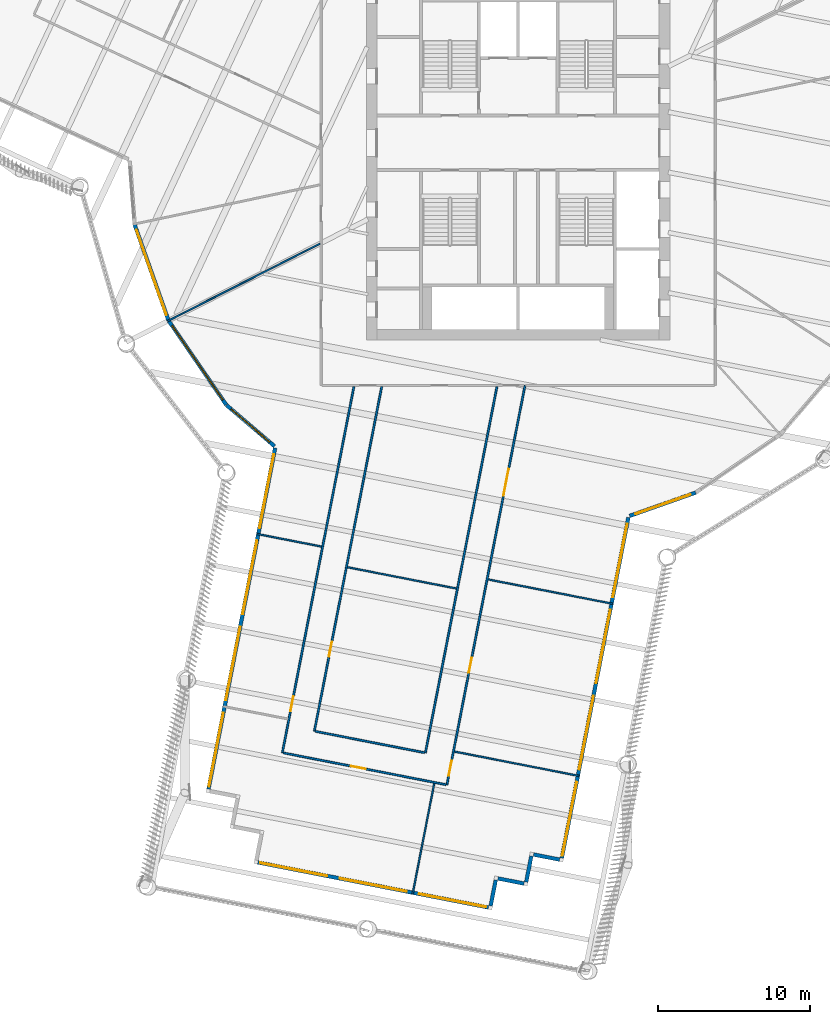
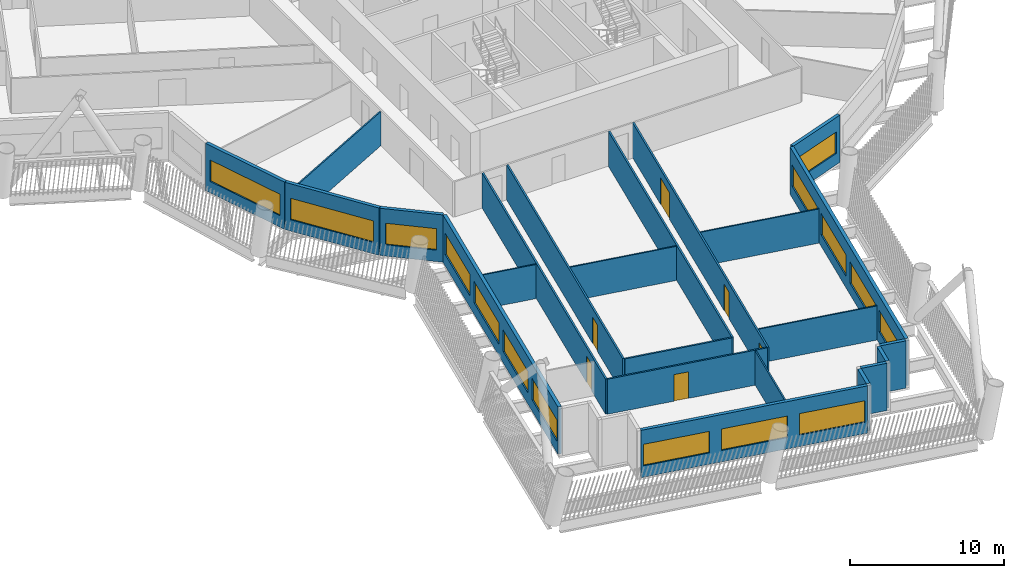
# One storey, part 3 of 24: 23 walls, 15 windows, 6 doors, 21 openings.
"""IFC4 building model written with IfcOpenShell, lengths in metres."""

from ifc_helpers import new_model, si_unit, direction, frame, frame_2d, origin, place, context, subcontext, project, spatial, rectangle, extrude, material, layer, layer_set, type_object, element, fill, save


model = new_model("IFC4")

# Units and contexts
model_context = context("Model", 3, precision=1e-05, world=origin(), true_north=direction((0.0, 1.0)))
body_context = subcontext(model_context, "Body", "Model", "MODEL_VIEW")
ifc_project = project(units=[si_unit("LENGTHUNIT", "METRE"), si_unit("AREAUNIT", "SQUARE_METRE"), si_unit("VOLUMEUNIT", "CUBIC_METRE"), si_unit("PLANEANGLEUNIT", "RADIAN"), si_unit("MASSUNIT", "GRAM", prefix="KILO")], contexts=[model_context])

# Site, building, storey
site_placement = place(None, origin())
site = spatial("IfcSite", under=ifc_project, at=site_placement, CompositionType="ELEMENT")
building_placement = place(site_placement, origin())
building = spatial("IfcBuilding", under=site, at=building_placement, Name="Tarsis Ring Headquarters", CompositionType="ELEMENT")
storey_placement = place(building_placement, frame((0.0, 0.0, 178.800048828125)))
storey = spatial("IfcBuildingStorey", under=building, at=storey_placement, Name="L41", CompositionType="ELEMENT", Elevation=178.800048828125)

# Walls
ifc_material_1 = material(Name="Gypsum board on steel studs", Category="steel")
ifc_layer_1 = layer(ifc_material_1, 0.10009765625)
ifc_layer_set_1 = layer_set([ifc_layer_1], Name="FL partition 100 unrated")
wall_type_1 = type_object("IfcWallType", Name="FL partition 100 unrated", PredefinedType="PARTITIONING", material=ifc_layer_set_1)
wall_1_placement = place(storey_placement, frame((-23.132080078125, -11.755859375, 0.0), z_axis=(0.0, 0.0, 1.0), x_axis=(0.89148504166, 0.453050130224, 0.0)))
element("IfcWall", 1, at=wall_1_placement, inside=storey, type_object=wall_type_1, Name="Partition PW3", PredefinedType="PARTITIONING", context=body_context, shape_type="SweptSolid", body=[
    extrude(rectangle(XDim=11.275634765625, YDim=0.10009765625, at=frame_2d((5.6376953125, 0.0))), origin(), (0.0, 0.0, 1.0), 2.699951171875),
])
for number, where, z_axis, x_axis, name in (
    (2, (-1.980712890625, -28.794921875, 0.0), (0.0, 0.0, 1.0), (0.981431707288, -0.19181189726, 0.0), "Partition PW3"),
    (3, (-4.2001953125, -40.14990234375, 0.0), (0.0, 0.0, 1.0), (0.981426215942, -0.19183999234, 0.0), "Partition PW3"),
):
    element("IfcWall", number, at=place(storey_placement, frame(where, z_axis=z_axis, x_axis=x_axis)), inside=storey, type_object=wall_type_1, Name=name, PredefinedType="PARTITIONING", context=body_context, shape_type="SweptSolid", body=[
        extrude(rectangle(XDim=8.3701171875, YDim=0.10009765625, at=frame_2d((4.18505859375, 0.0))), origin(), (0.0, 0.0, 1.0), 2.699951171875),
    ])
wall_2_placement = place(storey_placement, frame((-11.258544921875, -27.989990234375, 0.0), z_axis=(0.0, 0.0, 1.0), x_axis=(0.981424476659, -0.191848890051, 0.0)))
element("IfcWall", 4, at=wall_2_placement, inside=storey, type_object=wall_type_1, Name="Partition PW3", PredefinedType="PARTITIONING", context=body_context, shape_type="SweptSolid", body=[
    extrude(rectangle(XDim=7.31982421875, YDim=0.10009765625, at=frame_2d((3.659912109375, 0.0))), origin(), (0.0, 0.0, 1.0), 2.699951171875),
])
wall_3_placement = place(storey_placement, frame((-6.9619140625, -49.534423828125, 0.0), z_axis=(0.0, 0.0, 1.0), x_axis=(0.191855911231, 0.981423104133, 0.0)))
element("IfcWall", 5, at=wall_3_placement, inside=storey, type_object=wall_type_1, Name="Partition PW3", PredefinedType="PARTITIONING", context=body_context, shape_type="SweptSolid", body=[
    extrude(rectangle(XDim=7.420166015625, YDim=0.10009765625, at=frame_2d((3.7099609375, 0.0))), origin(), (0.0, 0.0, 1.0), 2.699951171875),
])
wall_4_placement = place(storey_placement, frame((-17.218505859375, -25.7958984375, 0.0), z_axis=(0.0, 0.0, 1.0), x_axis=(0.981421514254, -0.191864043948, 0.0)))
element("IfcWall", 6, at=wall_4_placement, inside=storey, type_object=wall_type_1, Name="Partition PW3", PredefinedType="PARTITIONING", context=body_context, shape_type="SweptSolid", body=[
    extrude(rectangle(XDim=4.330322265625, YDim=0.10009765625, at=frame_2d((2.1650390625, 0.0))), origin(), (0.0, 0.0, 1.0), 2.699951171875),
])

# Wall, openings, doors
ifc_layer_2 = layer(ifc_material_1, 0.125)
ifc_layer_set_2 = layer_set([ifc_layer_2], Name="FL partition 125 EI 60 H2770")
wall_type_2 = type_object("IfcWallType", Name="FL partition 125 EI 60 H2770", PredefinedType="PARTITIONING", material=ifc_layer_set_2)
wall_5_placement = place(storey_placement, frame((-4.70068359375, -42.3447265625, 0.0), z_axis=(0.0, 0.0, 1.0), x_axis=(0.191841360527, 0.981425948501, 0.0)))
wall_5 = element("IfcWall", 7, at=wall_5_placement, inside=storey, type_object=wall_type_2, Name="Partition PW1", PredefinedType="PARTITIONING", context=body_context, shape_type="SweptSolid", body=[
    extrude(rectangle(XDim=26.84326171875, YDim=0.125, at=frame_2d((13.421630859375, 0.0))), origin(), (0.0, 0.0, 1.0), 2.77001953125),
])
opening_1_placement = place(wall_5_placement, frame((19.433349609375, 0.0, 0.0)))
opening_1 = element("IfcOpeningElement", 8, at=opening_1_placement, cuts=wall_5, Name="Opening D41.10", PredefinedType="OPENING", context=body_context, shape_type="SweptSolid", body=[
    extrude(rectangle(XDim=1.800048828125, YDim=2.10009765625, at=frame_2d((0.89990234375, 1.050048828125))), frame((0.0, 0.072509765625, 0.0), z_axis=(0.0, -1.0, 0.0), x_axis=(1.0, 0.0, 0.0)), (0.0, 0.0, 1.0), 0.14501953125),
])
opening_2_placement = place(wall_5_placement, frame((7.53564453125, 0.0, 0.0)))
opening_2 = element("IfcOpeningElement", 9, at=opening_2_placement, cuts=wall_5, Name="Opening D41.11", PredefinedType="OPENING", context=body_context, shape_type="SweptSolid", body=[
    extrude(rectangle(XDim=1.0, YDim=2.10009765625, at=frame_2d((0.5, 1.050048828125))), frame((0.0, 0.072509765625, 0.0), z_axis=(0.0, -1.0, 0.0), x_axis=(1.0, 0.0, 0.0)), (0.0, 0.0, 1.0), 0.14501953125),
])
opening_3_placement = place(wall_5_placement, frame((0.623779296875, 0.0, 0.0)))
opening_3 = element("IfcOpeningElement", 10, at=opening_3_placement, cuts=wall_5, Name="Opening D41.12", PredefinedType="OPENING", context=body_context, shape_type="SweptSolid", body=[
    extrude(rectangle(XDim=1.0, YDim=2.10009765625, at=frame_2d((0.5, 1.050048828125))), frame((0.0, 0.072509765625, 0.0), z_axis=(0.0, -1.0, 0.0), x_axis=(1.0, 0.0, 0.0)), (0.0, 0.0, 1.0), 0.14501953125),
])
ifc_material_2 = material(Name="Fire-rated timber door leaf in steel frame", Category="steel")
door_type_1 = type_object("IfcDoorType", Name="FL door FD60-1000", OperationType="NOTDEFINED", PredefinedType="DOOR", material=ifc_material_2)
door_1_placement = place(opening_2_placement, origin())
door_1 = element("IfcDoor", 11, at=door_1_placement, inside=storey, type_object=door_type_1, Name="Door D41.11", OperationType="SINGLE_SWING_RIGHT", OverallHeight=2.10009765625, OverallWidth=1.0, PredefinedType="DOOR", context=body_context, shape_type="SweptSolid", body=[
    extrude(rectangle(XDim=1.0, YDim=2.10009765625, at=frame_2d((0.5, 1.050048828125))), frame((0.0, 0.02490234375, 0.0), z_axis=(0.0, -1.0, 0.0), x_axis=(1.0, 0.0, 0.0)), (0.0, 0.0, 1.0), 0.050048828125),
])
fill(opening_2, door_1)
door_2_placement = place(opening_3_placement, origin())
door_2 = element("IfcDoor", 12, at=door_2_placement, inside=storey, type_object=door_type_1, Name="Door D41.12", OperationType="SINGLE_SWING_LEFT", OverallHeight=2.10009765625, OverallWidth=1.0, PredefinedType="DOOR", context=body_context, shape_type="SweptSolid", body=[
    extrude(rectangle(XDim=1.0, YDim=2.10009765625, at=frame_2d((0.5, 1.050048828125))), frame((0.0, 0.02490234375, 0.0), z_axis=(0.0, -1.0, 0.0), x_axis=(1.0, 0.0, 0.0)), (0.0, 0.0, 1.0), 0.050048828125),
])
fill(opening_3, door_2)
door_type_2 = type_object("IfcDoorType", Name="FL door FD60-1800", OperationType="DOUBLE_DOOR_SINGLE_SWING", PredefinedType="DOOR", material=ifc_material_2)
door_3_placement = place(opening_1_placement, origin())
door_3 = element("IfcDoor", 13, at=door_3_placement, inside=storey, type_object=door_type_2, Name="Door D41.10", OperationType="DOUBLE_DOOR_SINGLE_SWING", OverallHeight=2.10009765625, OverallWidth=1.800048828125, PredefinedType="DOOR", context=body_context, shape_type="SweptSolid", body=[
    extrude(rectangle(XDim=1.800048828125, YDim=2.10009765625, at=frame_2d((0.89990234375, 1.050048828125))), frame((0.0, 0.02490234375, 0.0), z_axis=(0.0, -1.0, 0.0), x_axis=(1.0, 0.0, 0.0)), (0.0, 0.0, 1.0), 0.050048828125),
])
fill(opening_1, door_3)

# Wall
wall_6_placement = place(storey_placement, frame((-6.121826171875, -40.23291015625, 0.0), z_axis=(0.0, 0.0, 1.0), x_axis=(0.191839078335, 0.981426394603, 0.0)))
element("IfcWall", 14, at=wall_6_placement, inside=storey, type_object=wall_type_2, Name="Partition PW1", PredefinedType="PARTITIONING", context=body_context, shape_type="SweptSolid", body=[
    extrude(rectangle(XDim=24.62158203125, YDim=0.125, at=frame_2d((12.310791015625, 0.0))), origin(), (0.0, 0.0, 1.0), 2.77001953125),
])

# Wall, opening, door
wall_7_placement = place(storey_placement, frame((-15.55517578125, -40.222900390625, 0.0), z_axis=(0.0, 0.0, 1.0), x_axis=(0.191839214546, 0.981426367978, 0.0)))
wall_7 = element("IfcWall", 15, at=wall_7_placement, inside=storey, type_object=wall_type_2, Name="Partition PW1", PredefinedType="PARTITIONING", context=body_context, shape_type="SweptSolid", body=[
    extrude(rectangle(XDim=24.611328125, YDim=0.125, at=frame_2d((12.3056640625, 0.0))), origin(), (0.0, 0.0, 1.0), 2.77001953125),
])
opening_4_placement = place(wall_7_placement, frame((2.787109375, 0.0, 0.0)))
opening_4 = element("IfcOpeningElement", 16, at=opening_4_placement, cuts=wall_7, Name="Opening D41.14", PredefinedType="OPENING", context=body_context, shape_type="SweptSolid", body=[
    extrude(rectangle(XDim=1.0, YDim=2.10009765625, at=frame_2d((0.5, 1.050048828125))), frame((0.0, 0.072509765625, 0.0), z_axis=(0.0, -1.0, 0.0), x_axis=(1.0, 0.0, 0.0)), (0.0, 0.0, 1.0), 0.14501953125),
])
door_4_placement = place(opening_4_placement, origin())
door_4 = element("IfcDoor", 17, at=door_4_placement, inside=storey, type_object=door_type_1, Name="Door D41.14", OperationType="SINGLE_SWING_LEFT", OverallHeight=2.10009765625, OverallWidth=1.0, PredefinedType="DOOR", context=body_context, shape_type="SweptSolid", body=[
    extrude(rectangle(XDim=1.0, YDim=2.10009765625, at=frame_2d((0.5, 1.050048828125))), frame((0.0, 0.02490234375, 0.0), z_axis=(0.0, -1.0, 0.0), x_axis=(1.0, 0.0, 0.0)), (0.0, 0.0, 1.0), 0.050048828125),
])
fill(opening_4, door_4)

wall_8_placement = place(storey_placement, frame((-13.443359375, -38.8017578125, 0.0), z_axis=(0.0, 0.0, 1.0), x_axis=(0.191837485631, 0.981426705927, 0.0)))
wall_8 = element("IfcWall", 18, at=wall_8_placement, inside=storey, type_object=wall_type_2, Name="Partition PW1", PredefinedType="PARTITIONING", context=body_context, shape_type="SweptSolid", body=[
    extrude(rectangle(XDim=23.163330078125, YDim=0.125, at=frame_2d((11.58154296875, 0.0))), origin(), (0.0, 0.0, 1.0), 2.77001953125),
])
opening_5_placement = place(wall_8_placement, frame((5.016845703125, 0.0, 0.0)))
opening_5 = element("IfcOpeningElement", 19, at=opening_5_placement, cuts=wall_8, Name="Opening D41.20", PredefinedType="OPENING", context=body_context, shape_type="SweptSolid", body=[
    extrude(rectangle(XDim=1.0, YDim=2.10009765625, at=frame_2d((0.5, 1.050048828125))), frame((0.0, 0.072509765625, 0.0), z_axis=(0.0, -1.0, 0.0), x_axis=(1.0, 0.0, 0.0)), (0.0, 0.0, 1.0), 0.14501953125),
])
door_5_placement = place(opening_5_placement, origin())
door_5 = element("IfcDoor", 20, at=door_5_placement, inside=storey, type_object=door_type_1, Name="Door D41.20", OperationType="SINGLE_SWING_LEFT", OverallHeight=2.10009765625, OverallWidth=1.0, PredefinedType="DOOR", context=body_context, shape_type="SweptSolid", body=[
    extrude(rectangle(XDim=1.0, YDim=2.10009765625, at=frame_2d((0.5, 1.050048828125))), frame((0.0, 0.02490234375, 0.0), z_axis=(0.0, -1.0, 0.0), x_axis=(1.0, 0.0, 0.0)), (0.0, 0.0, 1.0), 0.050048828125),
])
fill(opening_5, door_5)

wall_9_placement = place(storey_placement, frame((-15.496337890625, -40.234619140625, 0.0), z_axis=(0.0, 0.0, 1.0), x_axis=(0.981427925933, -0.191831244061, 0.0)))
wall_9 = element("IfcWall", 21, at=wall_9_placement, inside=storey, type_object=wall_type_2, Name="Partition PW1", PredefinedType="PARTITIONING", context=body_context, shape_type="SweptSolid", body=[
    extrude(rectangle(XDim=10.93994140625, YDim=0.125, at=frame_2d((5.469970703125, 0.0))), origin(), (0.0, 0.0, 1.0), 2.77001953125),
])
opening_6_placement = place(wall_9_placement, frame((4.54833984375, 0.0, 0.0)))
opening_6 = element("IfcOpeningElement", 22, at=opening_6_placement, cuts=wall_9, Name="Opening D41.13", PredefinedType="OPENING", context=body_context, shape_type="SweptSolid", body=[
    extrude(rectangle(XDim=1.0, YDim=2.10009765625, at=frame_2d((0.5, 1.050048828125))), frame((0.0, 0.072509765625, 0.0), z_axis=(0.0, -1.0, 0.0), x_axis=(1.0, 0.0, 0.0)), (0.0, 0.0, 1.0), 0.14501953125),
])
door_6_placement = place(opening_6_placement, origin())
door_6 = element("IfcDoor", 23, at=door_6_placement, inside=storey, type_object=door_type_1, Name="Door D41.13", OperationType="SINGLE_SWING_RIGHT", OverallHeight=2.10009765625, OverallWidth=1.0, PredefinedType="DOOR", context=body_context, shape_type="SweptSolid", body=[
    extrude(rectangle(XDim=1.0, YDim=2.10009765625, at=frame_2d((0.5, 1.050048828125))), frame((0.0, 0.02490234375, 0.0), z_axis=(0.0, -1.0, 0.0), x_axis=(1.0, 0.0, 0.0)), (0.0, 0.0, 1.0), 0.050048828125),
])
fill(opening_6, door_6)

# Wall
wall_10_placement = place(storey_placement, frame((-13.384521484375, -38.813232421875, 0.0), z_axis=(0.0, 0.0, 1.0), x_axis=(0.981430922536, -0.191815912504, 0.0)))
element("IfcWall", 24, at=wall_10_placement, inside=storey, type_object=wall_type_2, Name="Partition PW1", PredefinedType="PARTITIONING", context=body_context, shape_type="SweptSolid", body=[
    extrude(rectangle(XDim=7.340087890625, YDim=0.125, at=frame_2d((3.669921875, 0.0))), origin(), (0.0, 0.0, 1.0), 2.77001953125),
])

# Wall, opening, window
ifc_material_3 = material(Name="Terracotta clad insulated panel wall", Category="masonry")
ifc_layer_3 = layer(ifc_material_3, 0.25)
ifc_layer_set_3 = layer_set([ifc_layer_3], Name="Facade wall terracotta panel 250")
wall_type_3 = type_object("IfcWallType", Name="Facade wall terracotta panel 250", PredefinedType="STANDARD", material=ifc_layer_set_3)
wall_11_placement = place(storey_placement, frame((-25.30859375, -5.368408203125, 0.0), z_axis=(0.0, 0.0, 1.0), x_axis=(0.332818217816, -0.94299100414, 0.0)))
wall_11 = element("IfcWall", 25, at=wall_11_placement, inside=storey, type_object=wall_type_3, Name="External wall L41-03", PredefinedType="STANDARD", context=body_context, shape_type="SweptSolid", body=[
    extrude(rectangle(XDim=6.7216796875, YDim=0.25, at=frame_2d((3.36083984375, 0.0))), origin(), (0.0, 0.0, 1.0), 3.739990234375),
])
opening_7_placement = place(wall_11_placement, frame((0.3857421875, 0.0, 0.89990234375)))
opening_7 = element("IfcOpeningElement", 26, at=opening_7_placement, cuts=wall_11, Name="Opening WN07", PredefinedType="OPENING", context=body_context, shape_type="SweptSolid", body=[
    extrude(rectangle(XDim=5.949951171875, YDim=1.699951171875, at=frame_2d((2.97509765625, 0.85009765625))), frame((0.0, 0.135009765625, 0.0), z_axis=(0.0, -1.0, 0.0), x_axis=(1.0, 0.0, 0.0)), (0.0, 0.0, 1.0), 0.27001953125),
])
ifc_material_4 = material(Name="Aluminium framed double glazing", Category="aluminium")
window_type_1 = type_object("IfcWindowType", Name="Facade window 5950 x 1700", PartitioningType="SINGLE_PANEL", PredefinedType="WINDOW", material=ifc_material_4)
window_1_placement = place(opening_7_placement, origin())
window_1 = element("IfcWindow", 27, at=window_1_placement, inside=storey, type_object=window_type_1, Name="Window L41-03.1", OverallHeight=1.699951171875, OverallWidth=5.949951171875, PartitioningType="SINGLE_PANEL", PredefinedType="WINDOW", context=body_context, shape_type="SweptSolid", body=[
    extrude(rectangle(XDim=5.949951171875, YDim=1.699951171875, at=frame_2d((2.97509765625, 0.85009765625))), frame((0.0, 0.030029296875, 0.0), z_axis=(0.0, -1.0, 0.0), x_axis=(1.0, 0.0, 0.0)), (0.0, 0.0, 1.0), 0.06005859375),
])
fill(opening_7, window_1)

wall_12_placement = place(storey_placement, frame((-23.056884765625, -11.73583984375, 0.0), z_axis=(0.0, 0.0, 1.0), x_axis=(0.565532590751, -0.824725947693, 0.0)))
wall_12 = element("IfcWall", 28, at=wall_12_placement, inside=storey, type_object=wall_type_3, Name="External wall L41-04", PredefinedType="STANDARD", context=body_context, shape_type="SweptSolid", body=[
    extrude(rectangle(XDim=6.7216796875, YDim=0.25, at=frame_2d((3.36083984375, 0.0))), origin(), (0.0, 0.0, 1.0), 3.739990234375),
])
opening_8_placement = place(wall_12_placement, frame((0.3857421875, 0.0, 0.89990234375)))
opening_8 = element("IfcOpeningElement", 29, at=opening_8_placement, cuts=wall_12, Name="Opening WN07", PredefinedType="OPENING", context=body_context, shape_type="SweptSolid", body=[
    extrude(rectangle(XDim=5.949951171875, YDim=1.699951171875, at=frame_2d((2.97509765625, 0.85009765625))), frame((0.0, 0.135009765625, 0.0), z_axis=(0.0, -1.0, 0.0), x_axis=(1.0, 0.0, 0.0)), (0.0, 0.0, 1.0), 0.27001953125),
])
window_2_placement = place(opening_8_placement, origin())
window_2 = element("IfcWindow", 30, at=window_2_placement, inside=storey, type_object=window_type_1, Name="Window L41-04.1", OverallHeight=1.699951171875, OverallWidth=5.949951171875, PartitioningType="SINGLE_PANEL", PredefinedType="WINDOW", context=body_context, shape_type="SweptSolid", body=[
    extrude(rectangle(XDim=5.949951171875, YDim=1.699951171875, at=frame_2d((2.97509765625, 0.85009765625))), frame((0.0, 0.030029296875, 0.0), z_axis=(0.0, -1.0, 0.0), x_axis=(1.0, 0.0, 0.0)), (0.0, 0.0, 1.0), 0.06005859375),
])
fill(opening_8, window_2)

wall_13_placement = place(storey_placement, frame((-19.233642578125, -17.303466796875, 0.0), z_axis=(0.0, 0.0, 1.0), x_axis=(0.759687524929, -0.65028829335, 0.0)))
wall_13 = element("IfcWall", 31, at=wall_13_placement, inside=storey, type_object=wall_type_3, Name="External wall L41-05", PredefinedType="STANDARD", context=body_context, shape_type="SweptSolid", body=[
    extrude(rectangle(XDim=4.157470703125, YDim=0.25, at=frame_2d((2.07861328125, 0.0))), origin(), (0.0, 0.0, 1.0), 3.739990234375),
])
opening_9_placement = place(wall_13_placement, frame((0.38720703125, 0.0, 0.89990234375)))
opening_9 = element("IfcOpeningElement", 32, at=opening_9_placement, cuts=wall_13, Name="Opening WN01", PredefinedType="OPENING", context=body_context, shape_type="SweptSolid", body=[
    extrude(rectangle(XDim=3.35009765625, YDim=1.699951171875, at=frame_2d((1.675048828125, 0.85009765625))), frame((0.0, 0.135009765625, 0.0), z_axis=(0.0, -1.0, 0.0), x_axis=(1.0, 0.0, 0.0)), (0.0, 0.0, 1.0), 0.27001953125),
])
window_type_2 = type_object("IfcWindowType", Name="Facade window 3350 x 1700", PartitioningType="SINGLE_PANEL", PredefinedType="WINDOW", material=ifc_material_4)
window_3_placement = place(opening_9_placement, origin())
window_3 = element("IfcWindow", 33, at=window_3_placement, inside=storey, type_object=window_type_2, Name="Window L41-05.1", OverallHeight=1.699951171875, OverallWidth=3.35009765625, PartitioningType="SINGLE_PANEL", PredefinedType="WINDOW", context=body_context, shape_type="SweptSolid", body=[
    extrude(rectangle(XDim=3.35009765625, YDim=1.699951171875, at=frame_2d((1.675048828125, 0.85009765625))), frame((0.0, 0.030029296875, 0.0), z_axis=(0.0, -1.0, 0.0), x_axis=(1.0, 0.0, 0.0)), (0.0, 0.0, 1.0), 0.06005859375),
])
fill(opening_9, window_3)

# Wall, openings, windows
wall_14_placement = place(storey_placement, frame((-16.03369140625, -20.1259765625, 0.0), z_axis=(0.0, 0.0, 1.0), x_axis=(-0.191833422381, -0.981427500154, 0.0)))
wall_14 = element("IfcWall", 34, at=wall_14_placement, inside=storey, type_object=wall_type_3, Name="External wall L41-06", PredefinedType="STANDARD", context=body_context, shape_type="SweptSolid", body=[
    extrude(rectangle(XDim=22.922119140625, YDim=0.25, at=frame_2d((11.4609375, 0.0))), origin(), (0.0, 0.0, 1.0), 3.739990234375),
])
opening_10_placement = place(wall_14_placement, frame((0.42138671875, 0.0, 0.89990234375)))
opening_10 = element("IfcOpeningElement", 35, at=opening_10_placement, cuts=wall_14, Name="Opening WN05", PredefinedType="OPENING", context=body_context, shape_type="SweptSolid", body=[
    extrude(rectangle(XDim=4.949951171875, YDim=1.699951171875, at=frame_2d((2.47509765625, 0.85009765625))), frame((0.0, 0.135009765625, 0.0), z_axis=(0.0, -1.0, 0.0), x_axis=(1.0, 0.0, 0.0)), (0.0, 0.0, 1.0), 0.27001953125),
])
opening_11_placement = place(wall_14_placement, frame((6.214599609375, 0.0, 0.89990234375)))
opening_11 = element("IfcOpeningElement", 36, at=opening_11_placement, cuts=wall_14, Name="Opening WN05", PredefinedType="OPENING", context=body_context, shape_type="SweptSolid", body=[
    extrude(rectangle(XDim=4.949951171875, YDim=1.699951171875, at=frame_2d((2.47509765625, 0.85009765625))), frame((0.0, 0.135009765625, 0.0), z_axis=(0.0, -1.0, 0.0), x_axis=(1.0, 0.0, 0.0)), (0.0, 0.0, 1.0), 0.27001953125),
])
opening_12_placement = place(wall_14_placement, frame((12.007568359375, 0.0, 0.89990234375)))
opening_12 = element("IfcOpeningElement", 37, at=opening_12_placement, cuts=wall_14, Name="Opening WN05", PredefinedType="OPENING", context=body_context, shape_type="SweptSolid", body=[
    extrude(rectangle(XDim=4.949951171875, YDim=1.699951171875, at=frame_2d((2.47509765625, 0.85009765625))), frame((0.0, 0.135009765625, 0.0), z_axis=(0.0, -1.0, 0.0), x_axis=(1.0, 0.0, 0.0)), (0.0, 0.0, 1.0), 0.27001953125),
])
opening_13_placement = place(wall_14_placement, frame((17.800537109375, 0.0, 0.89990234375)))
opening_13 = element("IfcOpeningElement", 38, at=opening_13_placement, cuts=wall_14, Name="Opening WN05", PredefinedType="OPENING", context=body_context, shape_type="SweptSolid", body=[
    extrude(rectangle(XDim=4.949951171875, YDim=1.699951171875, at=frame_2d((2.47509765625, 0.85009765625))), frame((0.0, 0.135009765625, 0.0), z_axis=(0.0, -1.0, 0.0), x_axis=(1.0, 0.0, 0.0)), (0.0, 0.0, 1.0), 0.27001953125),
])
window_type_3 = type_object("IfcWindowType", Name="Facade window 4950 x 1700", PartitioningType="SINGLE_PANEL", PredefinedType="WINDOW", material=ifc_material_4)
window_4_placement = place(opening_10_placement, origin())
window_4 = element("IfcWindow", 39, at=window_4_placement, inside=storey, type_object=window_type_3, Name="Window L41-06.1", OverallHeight=1.699951171875, OverallWidth=4.949951171875, PartitioningType="SINGLE_PANEL", PredefinedType="WINDOW", context=body_context, shape_type="SweptSolid", body=[
    extrude(rectangle(XDim=4.949951171875, YDim=1.699951171875, at=frame_2d((2.47509765625, 0.85009765625))), frame((0.0, 0.030029296875, 0.0), z_axis=(0.0, -1.0, 0.0), x_axis=(1.0, 0.0, 0.0)), (0.0, 0.0, 1.0), 0.06005859375),
])
fill(opening_10, window_4)
window_5_placement = place(opening_11_placement, origin())
window_5 = element("IfcWindow", 40, at=window_5_placement, inside=storey, type_object=window_type_3, Name="Window L41-06.2", OverallHeight=1.699951171875, OverallWidth=4.949951171875, PartitioningType="SINGLE_PANEL", PredefinedType="WINDOW", context=body_context, shape_type="SweptSolid", body=[
    extrude(rectangle(XDim=4.949951171875, YDim=1.699951171875, at=frame_2d((2.47509765625, 0.85009765625))), frame((0.0, 0.030029296875, 0.0), z_axis=(0.0, -1.0, 0.0), x_axis=(1.0, 0.0, 0.0)), (0.0, 0.0, 1.0), 0.06005859375),
])
fill(opening_11, window_5)
window_6_placement = place(opening_12_placement, origin())
window_6 = element("IfcWindow", 41, at=window_6_placement, inside=storey, type_object=window_type_3, Name="Window L41-06.3", OverallHeight=1.699951171875, OverallWidth=4.949951171875, PartitioningType="SINGLE_PANEL", PredefinedType="WINDOW", context=body_context, shape_type="SweptSolid", body=[
    extrude(rectangle(XDim=4.949951171875, YDim=1.699951171875, at=frame_2d((2.47509765625, 0.85009765625))), frame((0.0, 0.030029296875, 0.0), z_axis=(0.0, -1.0, 0.0), x_axis=(1.0, 0.0, 0.0)), (0.0, 0.0, 1.0), 0.06005859375),
])
fill(opening_12, window_6)
window_7_placement = place(opening_13_placement, origin())
window_7 = element("IfcWindow", 42, at=window_7_placement, inside=storey, type_object=window_type_3, Name="Window L41-06.4", OverallHeight=1.699951171875, OverallWidth=4.949951171875, PartitioningType="SINGLE_PANEL", PredefinedType="WINDOW", context=body_context, shape_type="SweptSolid", body=[
    extrude(rectangle(XDim=4.949951171875, YDim=1.699951171875, at=frame_2d((2.47509765625, 0.85009765625))), frame((0.0, 0.030029296875, 0.0), z_axis=(0.0, -1.0, 0.0), x_axis=(1.0, 0.0, 0.0)), (0.0, 0.0, 1.0), 0.06005859375),
])
fill(opening_13, window_7)

wall_15_placement = place(storey_placement, frame((-17.173828125, -47.4619140625, 0.0), z_axis=(0.0, 0.0, 1.0), x_axis=(0.981427353174, -0.191834174332, 0.0)))
wall_15 = element("IfcWall", 43, at=wall_15_placement, inside=storey, type_object=wall_type_3, Name="External wall L41-11", PredefinedType="STANDARD", context=body_context, shape_type="SweptSolid", body=[
    extrude(rectangle(XDim=15.499755859375, YDim=0.25, at=frame_2d((7.75, 0.0))), origin(), (0.0, 0.0, 1.0), 3.739990234375),
])
opening_14_placement = place(wall_15_placement, frame((0.166748046875, 0.0, 0.89990234375)))
opening_14 = element("IfcOpeningElement", 44, at=opening_14_placement, cuts=wall_15, Name="Opening WN04", PredefinedType="OPENING", context=body_context, shape_type="SweptSolid", body=[
    extrude(rectangle(XDim=4.5, YDim=1.699951171875, at=frame_2d((2.25, 0.85009765625))), frame((0.0, 0.135009765625, 0.0), z_axis=(0.0, -1.0, 0.0), x_axis=(1.0, 0.0, 0.0)), (0.0, 0.0, 1.0), 0.27001953125),
])
opening_15_placement = place(wall_15_placement, frame((5.5, 0.0, 0.89990234375)))
opening_15 = element("IfcOpeningElement", 45, at=opening_15_placement, cuts=wall_15, Name="Opening WN04", PredefinedType="OPENING", context=body_context, shape_type="SweptSolid", body=[
    extrude(rectangle(XDim=4.5, YDim=1.699951171875, at=frame_2d((2.25, 0.85009765625))), frame((0.0, 0.135009765625, 0.0), z_axis=(0.0, -1.0, 0.0), x_axis=(1.0, 0.0, 0.0)), (0.0, 0.0, 1.0), 0.27001953125),
])
opening_16_placement = place(wall_15_placement, frame((10.833251953125, 0.0, 0.89990234375)))
opening_16 = element("IfcOpeningElement", 46, at=opening_16_placement, cuts=wall_15, Name="Opening WN04", PredefinedType="OPENING", context=body_context, shape_type="SweptSolid", body=[
    extrude(rectangle(XDim=4.5, YDim=1.699951171875, at=frame_2d((2.25, 0.85009765625))), frame((0.0, 0.135009765625, 0.0), z_axis=(0.0, -1.0, 0.0), x_axis=(1.0, 0.0, 0.0)), (0.0, 0.0, 1.0), 0.27001953125),
])
window_type_4 = type_object("IfcWindowType", Name="Facade window 4500 x 1700", PartitioningType="SINGLE_PANEL", PredefinedType="WINDOW", material=ifc_material_4)
window_8_placement = place(opening_14_placement, origin())
window_8 = element("IfcWindow", 47, at=window_8_placement, inside=storey, type_object=window_type_4, Name="Window L41-11.1", OverallHeight=1.699951171875, OverallWidth=4.5, PartitioningType="SINGLE_PANEL", PredefinedType="WINDOW", context=body_context, shape_type="SweptSolid", body=[
    extrude(rectangle(XDim=4.5, YDim=1.699951171875, at=frame_2d((2.25, 0.85009765625))), frame((0.0, 0.030029296875, 0.0), z_axis=(0.0, -1.0, 0.0), x_axis=(1.0, 0.0, 0.0)), (0.0, 0.0, 1.0), 0.06005859375),
])
fill(opening_14, window_8)
window_9_placement = place(opening_15_placement, origin())
window_9 = element("IfcWindow", 48, at=window_9_placement, inside=storey, type_object=window_type_4, Name="Window L41-11.2", OverallHeight=1.699951171875, OverallWidth=4.5, PartitioningType="SINGLE_PANEL", PredefinedType="WINDOW", context=body_context, shape_type="SweptSolid", body=[
    extrude(rectangle(XDim=4.5, YDim=1.699951171875, at=frame_2d((2.25, 0.85009765625))), frame((0.0, 0.030029296875, 0.0), z_axis=(0.0, -1.0, 0.0), x_axis=(1.0, 0.0, 0.0)), (0.0, 0.0, 1.0), 0.06005859375),
])
fill(opening_15, window_9)
window_10_placement = place(opening_16_placement, origin())
window_10 = element("IfcWindow", 49, at=window_10_placement, inside=storey, type_object=window_type_4, Name="Window L41-11.3", OverallHeight=1.699951171875, OverallWidth=4.5, PartitioningType="SINGLE_PANEL", PredefinedType="WINDOW", context=body_context, shape_type="SweptSolid", body=[
    extrude(rectangle(XDim=4.5, YDim=1.699951171875, at=frame_2d((2.25, 0.85009765625))), frame((0.0, 0.030029296875, 0.0), z_axis=(0.0, -1.0, 0.0), x_axis=(1.0, 0.0, 0.0)), (0.0, 0.0, 1.0), 0.06005859375),
])
fill(opening_16, window_10)

# Walls
for number, where, z_axis, x_axis, name in (
    (50, (-1.815185546875, -50.336669921875, 0.0), (0.0, 0.0, 1.0), (0.191821741574, 0.981429783255, 0.0), "External wall L41-12"),
    (51, (-1.332763671875, -48.5205078125, 0.0), (0.0, 0.0, 1.0), (0.981429783255, -0.191821741574, 0.0), "External wall L41-13"),
    (52, (0.531494140625, -48.757568359375, 0.0), (0.0, 0.0, 1.0), (0.191821741574, 0.981429783255, 0.0), "External wall L41-14"),
    (53, (1.013671875, -46.94140625, 0.0), (0.0, 0.0, 1.0), (0.981429783255, -0.191821741574, 0.0), "External wall L41-15"),
):
    element("IfcWall", number, at=place(storey_placement, frame(where, z_axis=z_axis, x_axis=x_axis)), inside=storey, type_object=wall_type_3, Name=name, PredefinedType="STANDARD", context=body_context, shape_type="SweptSolid", body=[
        extrude(rectangle(XDim=1.75, YDim=0.25, at=frame_2d((0.875, 0.0))), origin(), (0.0, 0.0, 1.0), 3.739990234375),
    ])

# Wall, openings, windows
wall_16_placement = place(storey_placement, frame((2.8779296875, -47.17822265625, 0.0), z_axis=(0.0, 0.0, 1.0), x_axis=(0.191837724267, 0.981426659281, 0.0)))
wall_16 = element("IfcWall", 54, at=wall_16_placement, inside=storey, type_object=wall_type_3, Name="External wall L41-16", PredefinedType="STANDARD", context=body_context, shape_type="SweptSolid", body=[
    extrude(rectangle(XDim=22.901123046875, YDim=0.25, at=frame_2d((11.45068359375, 0.0))), origin(), (0.0, 0.0, 1.0), 3.739990234375),
])
opening_17_placement = place(wall_16_placement, frame((0.1689453125, 0.0, 0.89990234375)))
opening_17 = element("IfcOpeningElement", 55, at=opening_17_placement, cuts=wall_16, Name="Opening WN05", PredefinedType="OPENING", context=body_context, shape_type="SweptSolid", body=[
    extrude(rectangle(XDim=4.949951171875, YDim=1.699951171875, at=frame_2d((2.47509765625, 0.85009765625))), frame((0.0, 0.135009765625, 0.0), z_axis=(0.0, -1.0, 0.0), x_axis=(1.0, 0.0, 0.0)), (0.0, 0.0, 1.0), 0.27001953125),
])
opening_18_placement = place(wall_16_placement, frame((5.956787109375, 0.0, 0.89990234375)))
opening_18 = element("IfcOpeningElement", 56, at=opening_18_placement, cuts=wall_16, Name="Opening WN05", PredefinedType="OPENING", context=body_context, shape_type="SweptSolid", body=[
    extrude(rectangle(XDim=4.949951171875, YDim=1.699951171875, at=frame_2d((2.47509765625, 0.85009765625))), frame((0.0, 0.135009765625, 0.0), z_axis=(0.0, -1.0, 0.0), x_axis=(1.0, 0.0, 0.0)), (0.0, 0.0, 1.0), 0.27001953125),
])
opening_19_placement = place(wall_16_placement, frame((11.74462890625, 0.0, 0.89990234375)))
opening_19 = element("IfcOpeningElement", 57, at=opening_19_placement, cuts=wall_16, Name="Opening WN05", PredefinedType="OPENING", context=body_context, shape_type="SweptSolid", body=[
    extrude(rectangle(XDim=4.949951171875, YDim=1.699951171875, at=frame_2d((2.47509765625, 0.85009765625))), frame((0.0, 0.135009765625, 0.0), z_axis=(0.0, -1.0, 0.0), x_axis=(1.0, 0.0, 0.0)), (0.0, 0.0, 1.0), 0.27001953125),
])
opening_20_placement = place(wall_16_placement, frame((17.532470703125, 0.0, 0.89990234375)))
opening_20 = element("IfcOpeningElement", 58, at=opening_20_placement, cuts=wall_16, Name="Opening WN05", PredefinedType="OPENING", context=body_context, shape_type="SweptSolid", body=[
    extrude(rectangle(XDim=4.949951171875, YDim=1.699951171875, at=frame_2d((2.47509765625, 0.85009765625))), frame((0.0, 0.135009765625, 0.0), z_axis=(0.0, -1.0, 0.0), x_axis=(1.0, 0.0, 0.0)), (0.0, 0.0, 1.0), 0.27001953125),
])
window_11_placement = place(opening_17_placement, origin())
window_11 = element("IfcWindow", 59, at=window_11_placement, inside=storey, type_object=window_type_3, Name="Window L41-16.1", OverallHeight=1.699951171875, OverallWidth=4.949951171875, PartitioningType="SINGLE_PANEL", PredefinedType="WINDOW", context=body_context, shape_type="SweptSolid", body=[
    extrude(rectangle(XDim=4.949951171875, YDim=1.699951171875, at=frame_2d((2.47509765625, 0.85009765625))), frame((0.0, 0.030029296875, 0.0), z_axis=(0.0, -1.0, 0.0), x_axis=(1.0, 0.0, 0.0)), (0.0, 0.0, 1.0), 0.06005859375),
])
fill(opening_17, window_11)
window_12_placement = place(opening_18_placement, origin())
window_12 = element("IfcWindow", 60, at=window_12_placement, inside=storey, type_object=window_type_3, Name="Window L41-16.2", OverallHeight=1.699951171875, OverallWidth=4.949951171875, PartitioningType="SINGLE_PANEL", PredefinedType="WINDOW", context=body_context, shape_type="SweptSolid", body=[
    extrude(rectangle(XDim=4.949951171875, YDim=1.699951171875, at=frame_2d((2.47509765625, 0.85009765625))), frame((0.0, 0.030029296875, 0.0), z_axis=(0.0, -1.0, 0.0), x_axis=(1.0, 0.0, 0.0)), (0.0, 0.0, 1.0), 0.06005859375),
])
fill(opening_18, window_12)
window_13_placement = place(opening_19_placement, origin())
window_13 = element("IfcWindow", 61, at=window_13_placement, inside=storey, type_object=window_type_3, Name="Window L41-16.3", OverallHeight=1.699951171875, OverallWidth=4.949951171875, PartitioningType="SINGLE_PANEL", PredefinedType="WINDOW", context=body_context, shape_type="SweptSolid", body=[
    extrude(rectangle(XDim=4.949951171875, YDim=1.699951171875, at=frame_2d((2.47509765625, 0.85009765625))), frame((0.0, 0.030029296875, 0.0), z_axis=(0.0, -1.0, 0.0), x_axis=(1.0, 0.0, 0.0)), (0.0, 0.0, 1.0), 0.06005859375),
])
fill(opening_19, window_13)
window_14_placement = place(opening_20_placement, origin())
window_14 = element("IfcWindow", 62, at=window_14_placement, inside=storey, type_object=window_type_3, Name="Window L41-16.4", OverallHeight=1.699951171875, OverallWidth=4.949951171875, PartitioningType="SINGLE_PANEL", PredefinedType="WINDOW", context=body_context, shape_type="SweptSolid", body=[
    extrude(rectangle(XDim=4.949951171875, YDim=1.699951171875, at=frame_2d((2.47509765625, 0.85009765625))), frame((0.0, 0.030029296875, 0.0), z_axis=(0.0, -1.0, 0.0), x_axis=(1.0, 0.0, 0.0)), (0.0, 0.0, 1.0), 0.06005859375),
])
fill(opening_20, window_14)

# Wall, opening, window
wall_17_placement = place(storey_placement, frame((7.352294921875, -24.6083984375, 0.0), z_axis=(0.0, 0.0, 1.0), x_axis=(0.942991309642, 0.33281735222, 0.0)))
wall_17 = element("IfcWall", 63, at=wall_17_placement, inside=storey, type_object=wall_type_3, Name="External wall L41-17", PredefinedType="STANDARD", context=body_context, shape_type="SweptSolid", body=[
    extrude(rectangle(XDim=4.61767578125, YDim=0.25, at=frame_2d((2.308837890625, 0.0))), origin(), (0.0, 0.0, 1.0), 3.739990234375),
])
opening_21_placement = place(wall_17_placement, frame((0.400390625, 0.0, 0.89990234375)))
opening_21 = element("IfcOpeningElement", 64, at=opening_21_placement, cuts=wall_17, Name="Opening WN02", PredefinedType="OPENING", context=body_context, shape_type="SweptSolid", body=[
    extrude(rectangle(XDim=3.85009765625, YDim=1.699951171875, at=frame_2d((1.925048828125, 0.85009765625))), frame((0.0, 0.135009765625, 0.0), z_axis=(0.0, -1.0, 0.0), x_axis=(1.0, 0.0, 0.0)), (0.0, 0.0, 1.0), 0.27001953125),
])
window_type_5 = type_object("IfcWindowType", Name="Facade window 3850 x 1700", PartitioningType="SINGLE_PANEL", PredefinedType="WINDOW", material=ifc_material_4)
window_15_placement = place(opening_21_placement, origin())
window_15 = element("IfcWindow", 65, at=window_15_placement, inside=storey, type_object=window_type_5, Name="Window L41-17.1", OverallHeight=1.699951171875, OverallWidth=3.85009765625, PartitioningType="SINGLE_PANEL", PredefinedType="WINDOW", context=body_context, shape_type="SweptSolid", body=[
    extrude(rectangle(XDim=3.85009765625, YDim=1.699951171875, at=frame_2d((1.925048828125, 0.85009765625))), frame((0.0, 0.030029296875, 0.0), z_axis=(0.0, -1.0, 0.0), x_axis=(1.0, 0.0, 0.0)), (0.0, 0.0, 1.0), 0.06005859375),
])
fill(opening_21, window_15)

save(model, "model.ifc")
